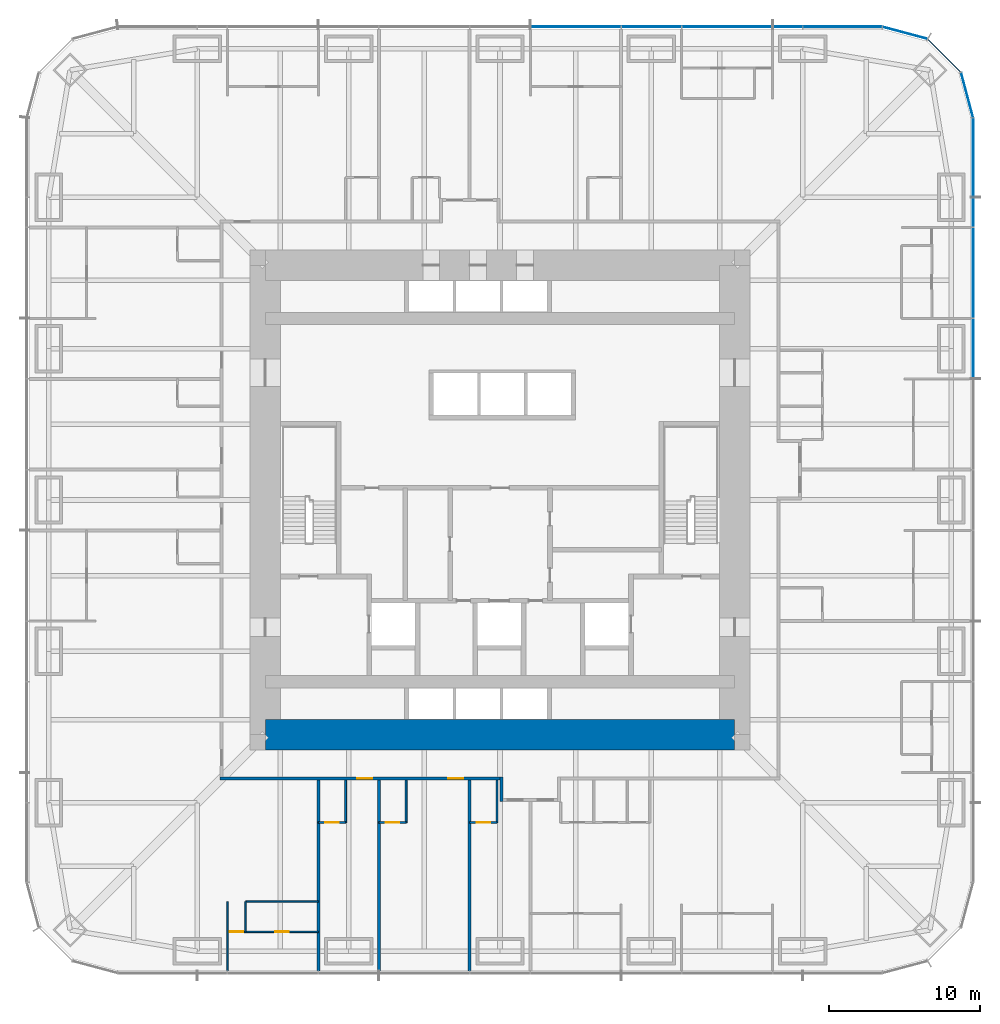
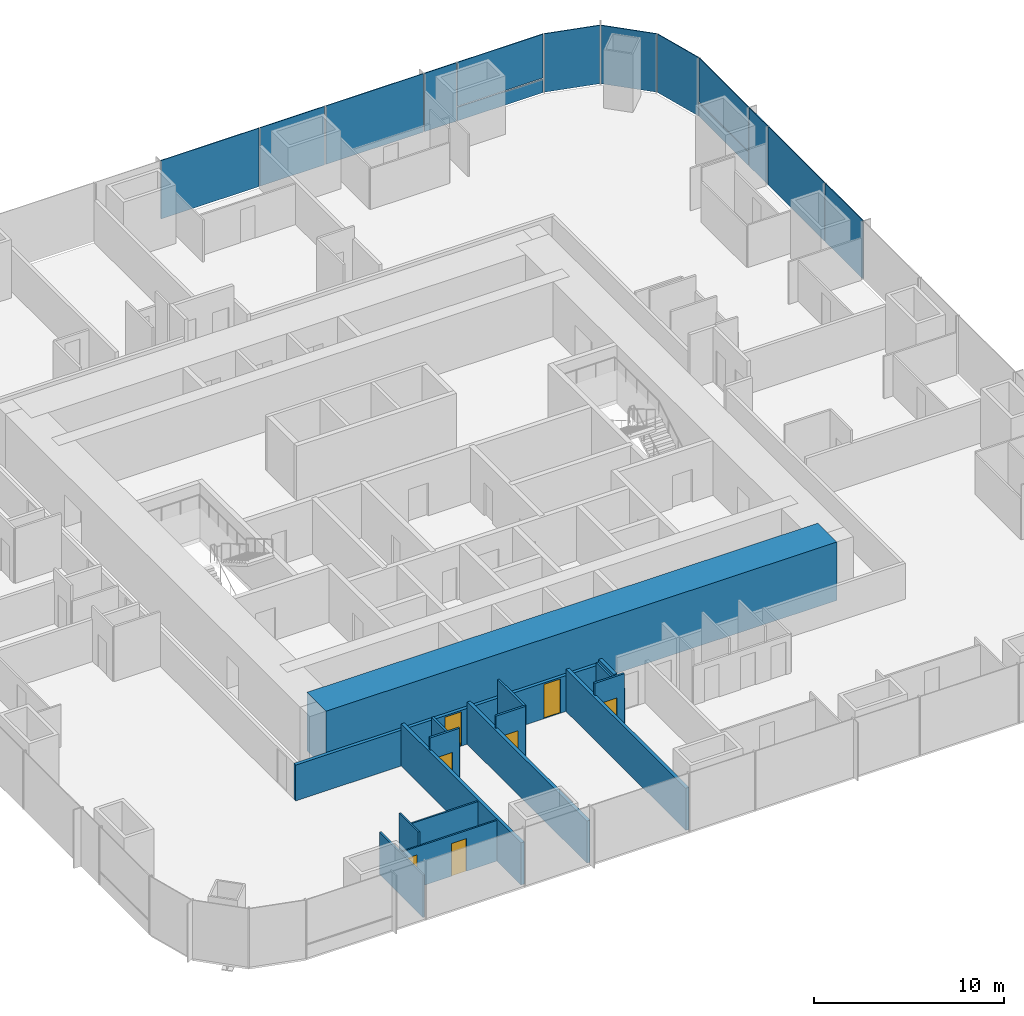
# One storey, part 11 of 16: 16 walls, 14 plates, 7 doors, 7 openings, 3 elements without a shape of their own.
"""IFC4 building model written with IfcOpenShell, lengths in metres."""

from ifc_helpers import new_model, si_unit, direction, frame, frame_2d, origin, origin_2d, place, context, subcontext, project, spatial, rectangle, extrude, material, layer, layer_set, type_object, element, fill, aggregate, save


model = new_model("IFC4")

# Units and contexts
model_context = context("Model", 3, precision=1e-05, world=origin(), true_north=direction((0.0, 1.0)))
body_context = subcontext(model_context, "Body", "Model", "MODEL_VIEW")
ifc_project = project(units=[si_unit("LENGTHUNIT", "METRE"), si_unit("AREAUNIT", "SQUARE_METRE"), si_unit("VOLUMEUNIT", "CUBIC_METRE"), si_unit("PLANEANGLEUNIT", "RADIAN"), si_unit("MASSUNIT", "GRAM", prefix="KILO")], contexts=[model_context])

# Site, building, storey
site_placement = place(None, origin())
site = spatial("IfcSite", under=ifc_project, at=site_placement, CompositionType="ELEMENT")
building_placement = place(site_placement, origin())
building = spatial("IfcBuilding", under=site, at=building_placement, Name="Khuree Lantern Residences", CompositionType="ELEMENT")
storey_placement = place(building_placement, frame((0.0, 0.0, 69.75)))
storey = spatial("IfcBuildingStorey", under=building, at=storey_placement, Name="L17", CompositionType="ELEMENT", Elevation=69.75)

# Curtain wall, plates
ifc_material_1 = material(Name="Bronze anodised aluminium", Category="aluminium")
curtain_wall_type_1 = type_object("IfcCurtainWallType", Name="CW-T2 TOWER CORNER CURTAIN WALL", PredefinedType="USERDEFINED", material=ifc_material_1)
curtain_wall_1_placement = place(storey_placement, origin())
curtain_wall_1 = element("IfcCurtainWall", 1, at=curtain_wall_1_placement, inside=storey, type_object=curtain_wall_type_1, Name="L17 NORTH-EAST CORNER CURTAIN WALL", ObjectType="Faceted corner curtain wall", PredefinedType="USERDEFINED")
ifc_material_2 = material(Name="Bronze tinted triple glazing", Category="glass")
ifc_layer_1 = layer(ifc_material_2, 0.048095703125)
ifc_layer_set_1 = layer_set([ifc_layer_1], Name="FACET PANEL P4")
plate_type_1 = type_object("IfcPlateType", Name="FACET PANEL P4", PredefinedType="CURTAIN_PANEL", material=ifc_layer_set_1)
plate_1_placement = place(storey_placement, frame((30.8486328125, 26.748046875, 0.0), z_axis=(0.0, 0.0, 1.0), x_axis=(-0.258819172081, 0.965925792265, 0.0)))
plate_1 = element("IfcPlate", 2, at=plate_1_placement, type_object=plate_type_1, Name="L17 NORTH-EAST CORNER PANEL 15.1", PredefinedType="CURTAIN_PANEL", context=body_context, shape_type="SweptSolid", body=[
    extrude(rectangle(XDim=3.02978515625, YDim=0.048095703125, at=origin_2d()), origin(), (0.0, 0.0, 1.0), 3.75),
])
plate_2_placement = place(storey_placement, frame((29.34814453125, 29.34814453125, 0.0), z_axis=(0.0, 0.0, 1.0), x_axis=(-0.707106781187, 0.707106781187, 0.0)))
plate_2 = element("IfcPlate", 3, at=plate_2_placement, type_object=plate_type_1, Name="L17 NORTH-EAST CORNER PANEL 16.1", PredefinedType="CURTAIN_PANEL", context=body_context, shape_type="SweptSolid", body=[
    extrude(rectangle(XDim=3.025634765625, YDim=0.048095703125, at=origin_2d()), origin(), (0.0, 0.0, 1.0), 3.75),
])
plate_3_placement = place(storey_placement, frame((26.748046875, 30.8486328125, 0.0), z_axis=(0.0, 0.0, 1.0), x_axis=(-0.965925792265, 0.258819172081, 0.0)))
plate_3 = element("IfcPlate", 4, at=plate_3_placement, type_object=plate_type_1, Name="L17 NORTH-EAST CORNER PANEL 17.1", PredefinedType="CURTAIN_PANEL", context=body_context, shape_type="SweptSolid", body=[
    extrude(rectangle(XDim=3.02978515625, YDim=0.048095703125, at=origin_2d()), origin(), (0.0, 0.0, 1.0), 3.75),
])
aggregate(curtain_wall_1, [plate_1, plate_2, plate_3])

# Curtain wall, plate
curtain_wall_type_2 = type_object("IfcCurtainWallType", Name="CW-T1 TOWER FACE CURTAIN WALL", PredefinedType="USERDEFINED", material=ifc_material_1)
curtain_wall_2_placement = place(storey_placement, origin())
curtain_wall_2 = element("IfcCurtainWall", 5, at=curtain_wall_2_placement, inside=storey, type_object=curtain_wall_type_2, Name="L17 EAST FACE CURTAIN WALL", ObjectType="Stick-built curtain wall", PredefinedType="USERDEFINED")
ifc_material_3 = material(Name="Bronze tinted triple glazing with a ceramic-fritted spandrel band", Category="glass")
ifc_layer_2 = layer(ifc_material_3, 0.048095703125)
ifc_layer_set_2 = layer_set([ifc_layer_2], Name="FIXED LIGHT PANEL P11")
plate_type_2 = type_object("IfcPlateType", Name="FIXED LIGHT PANEL P11", PredefinedType="CURTAIN_PANEL", material=ifc_layer_set_2)
plate_4_placement = place(storey_placement, frame((31.25, 15.0, 0.0), z_axis=(0.0, 0.0, 1.0), x_axis=(0.0, 1.0, 0.0)))
plate_4 = element("IfcPlate", 6, at=plate_4_placement, type_object=plate_type_2, Name="L17 EAST FACE PANEL 12.1", PredefinedType="CURTAIN_PANEL", context=body_context, shape_type="SweptSolid", body=[
    extrude(rectangle(XDim=5.93505859375, YDim=0.048095703125, at=origin_2d()), origin(), (0.0, 0.0, 1.0), 3.75),
])

# Curtain wall, plates
curtain_wall_3_placement = place(storey_placement, origin())
curtain_wall_3 = element("IfcCurtainWall", 7, at=curtain_wall_3_placement, inside=storey, type_object=curtain_wall_type_2, Name="L17 NORTH FACE CURTAIN WALL", ObjectType="Stick-built curtain wall", PredefinedType="USERDEFINED")
plate_5_placement = place(storey_placement, frame((15.0, 31.25, 0.0), z_axis=(0.0, 0.0, 1.0), x_axis=(-1.0, 0.0, 0.0)))
plate_5 = element("IfcPlate", 8, at=plate_5_placement, type_object=plate_type_2, Name="L17 NORTH FACE PANEL 20.1", PredefinedType="CURTAIN_PANEL", context=body_context, shape_type="SweptSolid", body=[
    extrude(rectangle(XDim=5.93505859375, YDim=0.048095703125, at=origin_2d()), origin(), (0.0, 0.0, 1.0), 3.75),
])
plate_6_placement = place(storey_placement, frame((5.0, 31.25, 0.0), z_axis=(0.0, 0.0, 1.0), x_axis=(-1.0, 0.0, 0.0)))
plate_6 = element("IfcPlate", 9, at=plate_6_placement, type_object=plate_type_2, Name="L17 NORTH FACE PANEL 22.1", PredefinedType="CURTAIN_PANEL", context=body_context, shape_type="SweptSolid", body=[
    extrude(rectangle(XDim=5.93505859375, YDim=0.048095703125, at=origin_2d()), origin(), (0.0, 0.0, 1.0), 3.75),
])

# Plate
ifc_material_4 = material(Name="Bronze tinted triple glazing, two aluminium-framed sashes in one frame", Category="aluminium")
ifc_layer_3 = layer(ifc_material_4, 0.048095703125)
ifc_layer_set_3 = layer_set([ifc_layer_3], Name="SASH PAIR PANEL P12")
plate_type_3 = type_object("IfcPlateType", Name="SASH PAIR PANEL P12", PredefinedType="CURTAIN_PANEL", material=ifc_layer_set_3)
plate_7_placement = place(storey_placement, frame((31.25, 10.0, 0.0), z_axis=(0.0, 0.0, 1.0), x_axis=(0.0, 1.0, 0.0)))
plate_7 = element("IfcPlate", 10, at=plate_7_placement, type_object=plate_type_3, Name="L17 EAST FACE PANEL 11.1", PredefinedType="CURTAIN_PANEL", context=body_context, shape_type="SweptSolid", body=[
    extrude(rectangle(XDim=3.93505859375, YDim=0.048095703125, at=origin_2d()), origin(), (0.0, 0.0, 1.0), 3.75),
])

plate_8_placement = place(storey_placement, frame((10.0, 31.25, 0.0), z_axis=(0.0, 0.0, 1.0), x_axis=(-1.0, 0.0, 0.0)))
plate_8 = element("IfcPlate", 11, at=plate_8_placement, type_object=plate_type_3, Name="L17 NORTH FACE PANEL 21.1", PredefinedType="CURTAIN_PANEL", context=body_context, shape_type="SweptSolid", body=[
    extrude(rectangle(XDim=3.93505859375, YDim=0.048095703125, at=origin_2d()), origin(), (0.0, 0.0, 1.0), 3.75),
])

ifc_material_5 = material(Name="Bronze tinted triple glazing, aluminium-framed sash", Category="aluminium")
ifc_layer_4 = layer(ifc_material_5, 0.048095703125)
ifc_layer_set_4 = layer_set([ifc_layer_4], Name="SASH PANEL P3")
plate_type_4 = type_object("IfcPlateType", Name="SASH PANEL P3", PredefinedType="CURTAIN_PANEL", material=ifc_layer_set_4)
plate_9_placement = place(storey_placement, frame((31.25, 19.0, 0.0), z_axis=(0.0, 0.0, 1.0), x_axis=(0.0, 1.0, 0.0)))
plate_9 = element("IfcPlate", 12, at=plate_9_placement, type_object=plate_type_4, Name="L17 EAST FACE PANEL 13.1", PredefinedType="CURTAIN_PANEL", context=body_context, shape_type="SweptSolid", body=[
    extrude(rectangle(XDim=1.93505859375, YDim=0.048095703125, at=origin_2d()), origin(), (0.0, 0.0, 1.0), 3.75),
])

plate_10_placement = place(storey_placement, frame((19.0, 31.25, 0.0), z_axis=(0.0, 0.0, 1.0), x_axis=(-1.0, 0.0, 0.0)))
plate_10 = element("IfcPlate", 13, at=plate_10_placement, type_object=plate_type_4, Name="L17 NORTH FACE PANEL 19.1", PredefinedType="CURTAIN_PANEL", context=body_context, shape_type="SweptSolid", body=[
    extrude(rectangle(XDim=1.93505859375, YDim=0.048095703125, at=origin_2d()), origin(), (0.0, 0.0, 1.0), 3.75),
])

ifc_material_6 = material(Name="Bronze anodised aluminium insulated spandrel", Category="aluminium")
ifc_layer_5 = layer(ifc_material_6, 0.06005859375)
ifc_layer_set_5 = layer_set([ifc_layer_5], Name="SPANDREL PANEL P2")
plate_type_5 = type_object("IfcPlateType", Name="SPANDREL PANEL P2", PredefinedType="CURTAIN_PANEL", material=ifc_layer_set_5)
plate_11_placement = place(storey_placement, frame((31.25, 22.622802734375, 0.0), z_axis=(0.0, 0.0, 1.0), x_axis=(0.0, 1.0, 0.0)))
plate_11 = element("IfcPlate", 14, at=plate_11_placement, type_object=plate_type_5, Name="L17 EAST FACE PANEL 14.1", PredefinedType="CURTAIN_PANEL", context=body_context, shape_type="SweptSolid", body=[
    extrude(rectangle(XDim=5.1806640625, YDim=0.06005859375, at=origin_2d()), origin(), (0.0, 0.0, 1.0), 0.867431640625),
])

plate_12_placement = place(storey_placement, frame((22.622802734375, 31.25, 0.0), z_axis=(0.0, 0.0, 1.0), x_axis=(-1.0, 0.0, 0.0)))
plate_12 = element("IfcPlate", 15, at=plate_12_placement, type_object=plate_type_5, Name="L17 NORTH FACE PANEL 18.1", PredefinedType="CURTAIN_PANEL", context=body_context, shape_type="SweptSolid", body=[
    extrude(rectangle(XDim=5.1806640625, YDim=0.06005859375, at=origin_2d()), origin(), (0.0, 0.0, 1.0), 0.867431640625),
])

ifc_layer_6 = layer(ifc_material_2, 0.048095703125)
ifc_layer_set_6 = layer_set([ifc_layer_6], Name="VISION PANEL P1")
plate_type_6 = type_object("IfcPlateType", Name="VISION PANEL P1", PredefinedType="CURTAIN_PANEL", material=ifc_layer_set_6)
plate_13_placement = place(storey_placement, frame((31.25, 22.623291015625, 0.9326171875), z_axis=(0.0, 0.0, 1.0), x_axis=(0.0, 1.0, 0.0)))
plate_13 = element("IfcPlate", 16, at=plate_13_placement, type_object=plate_type_6, Name="L17 EAST FACE PANEL 14.2", PredefinedType="CURTAIN_PANEL", context=body_context, shape_type="SweptSolid", body=[
    extrude(rectangle(XDim=5.181640625, YDim=0.048095703125, at=origin_2d()), origin(), (0.0, 0.0, 1.0), 2.8173828125),
])

aggregate(curtain_wall_2, [plate_7, plate_4, plate_9, plate_11, plate_13])

plate_14_placement = place(storey_placement, frame((22.623291015625, 31.25, 0.9326171875), z_axis=(0.0, 0.0, 1.0), x_axis=(-1.0, 0.0, 0.0)))
plate_14 = element("IfcPlate", 17, at=plate_14_placement, type_object=plate_type_6, Name="L17 NORTH FACE PANEL 18.2", PredefinedType="CURTAIN_PANEL", context=body_context, shape_type="SweptSolid", body=[
    extrude(rectangle(XDim=5.181640625, YDim=0.048095703125, at=origin_2d()), origin(), (0.0, 0.0, 1.0), 2.8173828125),
])

aggregate(curtain_wall_3, [plate_12, plate_14, plate_10, plate_5, plate_8, plate_6])

# Wall, opening, door
ifc_material_7 = material(Name="Moisture-resistant gypsum board on steel studs", Category="steel")
ifc_layer_7 = layer(ifc_material_7, 0.125)
ifc_layer_set_7 = layer_set([ifc_layer_7], Name="BATHROOM WALL BTW125")
wall_type_1 = type_object("IfcWallType", Name="BATHROOM WALL BTW125", PredefinedType="PARTITIONING", material=ifc_layer_set_7)
wall_1_placement = place(storey_placement, frame((-12.0, -21.300048828125, 0.0), z_axis=(0.0, 0.0, 1.0), x_axis=(1.0, 0.0, 0.0)))
wall_1 = element("IfcWall", 18, at=wall_1_placement, inside=storey, type_object=wall_type_1, Name="L17 BATHROOM WALL 10", PredefinedType="PARTITIONING", context=body_context, shape_type="SweptSolid", body=[
    extrude(rectangle(XDim=1.800048828125, YDim=0.125, at=frame_2d((0.89990234375, 0.0))), origin(), (0.0, 0.0, 1.0), 3.5),
])
opening_1_placement = place(wall_1_placement, frame((0.449951171875, 0.0, 0.0)))
opening_1 = element("IfcOpeningElement", 19, at=opening_1_placement, cuts=wall_1, Name="Opening 17-052", PredefinedType="OPENING", context=body_context, shape_type="SweptSolid", body=[
    extrude(rectangle(XDim=0.89990234375, YDim=2.10009765625, at=frame_2d((0.449951171875, 1.050048828125))), frame((0.0, 0.072509765625, 0.0), z_axis=(0.0, -1.0, 0.0), x_axis=(1.0, 0.0, 0.0)), (0.0, 0.0, 1.0), 0.14501953125),
])
ifc_material_8 = material(Name="Timber door leaf in hardwood frame", Category="wood")
door_type_1 = type_object("IfcDoorType", Name="BATHROOM DOOR 900X2100", OperationType="SINGLE_SWING_LEFT", PredefinedType="DOOR", material=ifc_material_8)
door_1_placement = place(opening_1_placement, origin())
door_1 = element("IfcDoor", 20, at=door_1_placement, inside=storey, type_object=door_type_1, Name="Bathroom door 17-052", OperationType="SINGLE_SWING_LEFT", OverallHeight=2.10009765625, OverallWidth=0.89990234375, PredefinedType="DOOR", context=body_context, shape_type="SweptSolid", body=[
    extrude(rectangle(XDim=0.89990234375, YDim=2.10009765625, at=frame_2d((0.449951171875, 1.050048828125))), frame((0.0, 0.02490234375, 0.0), z_axis=(0.0, -1.0, 0.0), x_axis=(1.0, 0.0, 0.0)), (0.0, 0.0, 1.0), 0.050048828125),
])
fill(opening_1, door_1)

# Wall
wall_2_placement = place(storey_placement, frame((-10.199951171875, -18.5, 0.0), z_axis=(0.0, 0.0, 1.0), x_axis=(0.0, -1.0, 0.0)))
element("IfcWall", 21, at=wall_2_placement, inside=storey, type_object=wall_type_1, Name="L17 BATHROOM WALL 10", PredefinedType="PARTITIONING", context=body_context, shape_type="SweptSolid", body=[
    extrude(rectangle(XDim=2.800048828125, YDim=0.125, at=frame_2d((1.39990234375, 0.0))), origin(), (0.0, 0.0, 1.0), 2.491943359375),
])

# Wall, opening, door
wall_3_placement = place(storey_placement, frame((-8.0, -21.300048828125, 0.0), z_axis=(0.0, 0.0, 1.0), x_axis=(1.0, 0.0, 0.0)))
wall_3 = element("IfcWall", 22, at=wall_3_placement, inside=storey, type_object=wall_type_1, Name="L17 BATHROOM WALL 11", PredefinedType="PARTITIONING", context=body_context, shape_type="SweptSolid", body=[
    extrude(rectangle(XDim=1.800048828125, YDim=0.125, at=frame_2d((0.89990234375, 0.0))), origin(), (0.0, 0.0, 1.0), 3.5),
])
opening_2_placement = place(wall_3_placement, frame((0.449951171875, 0.0, 0.0)))
opening_2 = element("IfcOpeningElement", 23, at=opening_2_placement, cuts=wall_3, Name="Opening 17-054", PredefinedType="OPENING", context=body_context, shape_type="SweptSolid", body=[
    extrude(rectangle(XDim=0.89990234375, YDim=2.10009765625, at=frame_2d((0.449951171875, 1.050048828125))), frame((0.0, 0.072509765625, 0.0), z_axis=(0.0, -1.0, 0.0), x_axis=(1.0, 0.0, 0.0)), (0.0, 0.0, 1.0), 0.14501953125),
])
door_2_placement = place(opening_2_placement, origin())
door_2 = element("IfcDoor", 24, at=door_2_placement, inside=storey, type_object=door_type_1, Name="Bathroom door 17-054", OperationType="SINGLE_SWING_LEFT", OverallHeight=2.10009765625, OverallWidth=0.89990234375, PredefinedType="DOOR", context=body_context, shape_type="SweptSolid", body=[
    extrude(rectangle(XDim=0.89990234375, YDim=2.10009765625, at=frame_2d((0.449951171875, 1.050048828125))), frame((0.0, 0.02490234375, 0.0), z_axis=(0.0, -1.0, 0.0), x_axis=(1.0, 0.0, 0.0)), (0.0, 0.0, 1.0), 0.050048828125),
])
fill(opening_2, door_2)

# Wall
wall_4_placement = place(storey_placement, frame((-6.199951171875, -18.5, 0.0), z_axis=(0.0, 0.0, 1.0), x_axis=(0.0, -1.0, 0.0)))
element("IfcWall", 25, at=wall_4_placement, inside=storey, type_object=wall_type_1, Name="L17 BATHROOM WALL 11", PredefinedType="PARTITIONING", context=body_context, shape_type="SweptSolid", body=[
    extrude(rectangle(XDim=2.800048828125, YDim=0.125, at=frame_2d((1.39990234375, 0.0))), origin(), (0.0, 0.0, 1.0), 3.5),
])

# Wall, opening, door
wall_5_placement = place(storey_placement, frame((-2.0, -21.300048828125, 0.0), z_axis=(0.0, 0.0, 1.0), x_axis=(1.0, 0.0, 0.0)))
wall_5 = element("IfcWall", 26, at=wall_5_placement, inside=storey, type_object=wall_type_1, Name="L17 BATHROOM WALL 12", PredefinedType="PARTITIONING", context=body_context, shape_type="SweptSolid", body=[
    extrude(rectangle(XDim=1.800048828125, YDim=0.125, at=frame_2d((0.89990234375, 0.0))), origin(), (0.0, 0.0, 1.0), 3.5),
])
opening_3_placement = place(wall_5_placement, frame((0.449951171875, 0.0, 0.0)))
opening_3 = element("IfcOpeningElement", 27, at=opening_3_placement, cuts=wall_5, Name="Opening 17-056", PredefinedType="OPENING", context=body_context, shape_type="SweptSolid", body=[
    extrude(rectangle(XDim=0.89990234375, YDim=2.10009765625, at=frame_2d((0.449951171875, 1.050048828125))), frame((0.0, 0.072509765625, 0.0), z_axis=(0.0, -1.0, 0.0), x_axis=(1.0, 0.0, 0.0)), (0.0, 0.0, 1.0), 0.14501953125),
])
door_3_placement = place(opening_3_placement, origin())
door_3 = element("IfcDoor", 28, at=door_3_placement, inside=storey, type_object=door_type_1, Name="Bathroom door 17-056", OperationType="SINGLE_SWING_LEFT", OverallHeight=2.10009765625, OverallWidth=0.89990234375, PredefinedType="DOOR", context=body_context, shape_type="SweptSolid", body=[
    extrude(rectangle(XDim=0.89990234375, YDim=2.10009765625, at=frame_2d((0.449951171875, 1.050048828125))), frame((0.0, 0.02490234375, 0.0), z_axis=(0.0, -1.0, 0.0), x_axis=(1.0, 0.0, 0.0)), (0.0, 0.0, 1.0), 0.050048828125),
])
fill(opening_3, door_3)

# Walls
wall_6_placement = place(storey_placement, frame((-0.199951171875, -18.5, 0.0), z_axis=(0.0, 0.0, 1.0), x_axis=(0.0, -1.0, 0.0)))
element("IfcWall", 29, at=wall_6_placement, inside=storey, type_object=wall_type_1, Name="L17 BATHROOM WALL 12", PredefinedType="PARTITIONING", context=body_context, shape_type="SweptSolid", body=[
    extrude(rectangle(XDim=2.800048828125, YDim=0.125, at=frame_2d((1.39990234375, 0.0))), origin(), (0.0, 0.0, 1.0), 2.491943359375),
])
ifc_material_9 = material(Name="Gypsum board on steel studs", Category="steel")
ifc_layer_8 = layer(ifc_material_9, 0.199951171875)
ifc_layer_set_8 = layer_set([ifc_layer_8], Name="CORRIDOR WALL CRW200 EI 60")
wall_type_2 = type_object("IfcWallType", Name="CORRIDOR WALL CRW200 EI 60", PredefinedType="PARTITIONING", material=ifc_layer_set_8)
wall_7_placement = place(storey_placement, frame((0.10009765625, -18.300048828125, 0.0), z_axis=(0.0, 0.0, 1.0), x_axis=(0.0, -1.0, 0.0)))
element("IfcWall", 30, at=wall_7_placement, inside=storey, type_object=wall_type_2, Name="L17 CORRIDOR ALCOVE WALL SOUTH", PredefinedType="PARTITIONING", context=body_context, shape_type="SweptSolid", body=[
    extrude(rectangle(XDim=1.599853515625, YDim=0.199951171875, at=frame_2d((0.7998046875, 0.0))), origin(), (0.0, 0.0, 1.0), 2.491943359375),
])

# Wall, openings, doors
wall_8_placement = place(storey_placement, frame((0.0, -18.39990234375, 0.0), z_axis=(0.0, 0.0, 1.0), x_axis=(-1.0, 0.0, 0.0)))
wall_8 = element("IfcWall", 31, at=wall_8_placement, inside=storey, type_object=wall_type_2, Name="L17 CORRIDOR WALL SOUTH 2", PredefinedType="PARTITIONING", context=body_context, shape_type="SweptSolid", body=[
    extrude(rectangle(XDim=18.5, YDim=0.199951171875, at=frame_2d((9.25, 0.0))), origin(), (0.0, 0.0, 1.0), 2.300048828125),
])
opening_4_placement = place(wall_8_placement, frame((8.429931640625, 0.0, 0.0)))
opening_4 = element("IfcOpeningElement", 32, at=opening_4_placement, cuts=wall_8, Name="Opening 17-053", PredefinedType="OPENING", context=body_context, shape_type="SweptSolid", body=[
    extrude(rectangle(XDim=1.0, YDim=2.199951171875, at=frame_2d((0.5, 1.10009765625))), frame((0.0, 0.10986328125, 0.0), z_axis=(0.0, -1.0, 0.0), x_axis=(1.0, 0.0, 0.0)), (0.0, 0.0, 1.0), 0.219970703125),
])
opening_5_placement = place(wall_8_placement, frame((2.429931640625, 0.0, 0.0)))
opening_5 = element("IfcOpeningElement", 33, at=opening_5_placement, cuts=wall_8, Name="Opening 17-055", PredefinedType="OPENING", context=body_context, shape_type="SweptSolid", body=[
    extrude(rectangle(XDim=1.0, YDim=2.199951171875, at=frame_2d((0.5, 1.10009765625))), frame((0.0, 0.10986328125, 0.0), z_axis=(0.0, -1.0, 0.0), x_axis=(1.0, 0.0, 0.0)), (0.0, 0.0, 1.0), 0.219970703125),
])
door_type_2 = type_object("IfcDoorType", Name="APARTMENT ENTRANCE DOOR 1000X2200 EI 30S", OperationType="SINGLE_SWING_LEFT", PredefinedType="DOOR", material=ifc_material_8)
door_4_placement = place(opening_4_placement, origin())
door_4 = element("IfcDoor", 34, at=door_4_placement, inside=storey, type_object=door_type_2, Name="Apartment 10 entrance door 17-053", OperationType="SINGLE_SWING_LEFT", OverallHeight=2.199951171875, OverallWidth=1.0, PredefinedType="DOOR", context=body_context, shape_type="SweptSolid", body=[
    extrude(rectangle(XDim=1.0, YDim=2.199951171875, at=frame_2d((0.5, 1.10009765625))), frame((0.0, 0.02490234375, 0.0), z_axis=(0.0, -1.0, 0.0), x_axis=(1.0, 0.0, 0.0)), (0.0, 0.0, 1.0), 0.050048828125),
])
fill(opening_4, door_4)
door_5_placement = place(opening_5_placement, origin())
door_5 = element("IfcDoor", 35, at=door_5_placement, inside=storey, type_object=door_type_2, Name="Apartment 11 entrance door 17-055", OperationType="SINGLE_SWING_LEFT", OverallHeight=2.199951171875, OverallWidth=1.0, PredefinedType="DOOR", context=body_context, shape_type="SweptSolid", body=[
    extrude(rectangle(XDim=1.0, YDim=2.199951171875, at=frame_2d((0.5, 1.10009765625))), frame((0.0, 0.02490234375, 0.0), z_axis=(0.0, -1.0, 0.0), x_axis=(1.0, 0.0, 0.0)), (0.0, 0.0, 1.0), 0.050048828125),
])
fill(opening_5, door_5)

# Walls
ifc_material_10 = material(Name="Concrete C70/85", Category="concrete")
ifc_layer_9 = layer(ifc_material_10, 2.0)
ifc_layer_set_9 = layer_set([ifc_layer_9], Name="CW2000-C70 CORE WALL C70 2000")
wall_type_3 = type_object("IfcWallType", Name="CW2000-C70 CORE WALL C70 2000", PredefinedType="SHEAR", material=ifc_layer_set_9)
wall_9_placement = place(storey_placement, frame((-15.5, -15.5, -0.25), z_axis=(0.0, 0.0, 1.0), x_axis=(1.0, 0.0, 0.0)))
element("IfcWall", 36, at=wall_9_placement, inside=storey, type_object=wall_type_3, Name="Core wall S", PredefinedType="SHEAR", context=body_context, shape_type="SweptSolid", body=[
    extrude(rectangle(XDim=31.0, YDim=2.0, at=frame_2d((15.5, 0.0))), origin(), (0.0, 0.0, 1.0), 3.75),
])
ifc_layer_10 = layer(ifc_material_9, 0.199951171875)
ifc_layer_set_10 = layer_set([ifc_layer_10], Name="DEMISING WALL DMW200 EI 90")
wall_type_4 = type_object("IfcWallType", Name="DEMISING WALL DMW200 EI 90", PredefinedType="PARTITIONING", material=ifc_layer_set_10)
for number, where, z_axis, x_axis, name in (
    (37, (-12.0, -18.5, 0.0), (0.0, 0.0, 1.0), (0.0, -1.0, 0.0), "L17 DEMISING WALL 10"),
    (38, (-8.0, -18.5, 0.0), (0.0, 0.0, 1.0), (0.0, -1.0, 0.0), "L17 DEMISING WALL 11"),
    (39, (-2.0, -18.5, 0.0), (0.0, 0.0, 1.0), (0.0, -1.0, 0.0), "L17 DEMISING WALL 12"),
):
    element("IfcWall", number, at=place(storey_placement, frame(where, z_axis=z_axis, x_axis=x_axis)), inside=storey, type_object=wall_type_4, Name=name, PredefinedType="PARTITIONING", context=body_context, shape_type="SweptSolid", body=[
        extrude(rectangle(XDim=12.60009765625, YDim=0.199951171875, at=frame_2d((6.300048828125, 0.0))), origin(), (0.0, 0.0, 1.0), 2.7099609375),
    ])
ifc_layer_11 = layer(ifc_material_9, 0.10009765625)
ifc_layer_set_11 = layer_set([ifc_layer_11], Name="PARTITION PT100")
wall_type_5 = type_object("IfcWallType", Name="PARTITION PT100", PredefinedType="PARTITIONING", material=ifc_layer_set_11)
wall_10_placement = place(storey_placement, frame((-18.0, -26.5166015625, 0.0), z_axis=(0.0, 0.0, 1.0), x_axis=(0.0, -1.0, 0.0)))
element("IfcWall", 40, at=wall_10_placement, inside=storey, type_object=wall_type_5, Name="L17 PARTITION 09", PredefinedType="PARTITIONING", context=body_context, shape_type="SweptSolid", body=[
    extrude(rectangle(XDim=4.58349609375, YDim=0.10009765625, at=frame_2d((2.291748046875, 0.0))), origin(), (0.0, 0.0, 1.0), 2.7099609375),
])

# Wall, openings, doors
wall_11_placement = place(storey_placement, frame((-18.0, -28.5166015625, 0.0), z_axis=(0.0, 0.0, 1.0), x_axis=(1.0, 0.0, 0.0)))
wall_11 = element("IfcWall", 41, at=wall_11_placement, inside=storey, type_object=wall_type_5, Name="L17 PARTITION 09", PredefinedType="PARTITIONING", context=body_context, shape_type="SweptSolid", body=[
    extrude(rectangle(XDim=6.0, YDim=0.10009765625, at=frame_2d((3.0, 0.0))), origin(), (0.0, 0.0, 1.0), 2.610107421875),
])
opening_6_placement = place(wall_11_placement, frame((0.14990234375, 0.0, 0.0)))
opening_6 = element("IfcOpeningElement", 42, at=opening_6_placement, cuts=wall_11, Name="Opening 17-048", PredefinedType="OPENING", context=body_context, shape_type="SweptSolid", body=[
    extrude(rectangle(XDim=0.89990234375, YDim=2.10009765625, at=frame_2d((0.449951171875, 1.050048828125))), frame((0.0, 0.06005859375, 0.0), z_axis=(0.0, -1.0, 0.0), x_axis=(1.0, 0.0, 0.0)), (0.0, 0.0, 1.0), 0.1201171875),
])
opening_7_placement = place(wall_11_placement, frame((3.14990234375, 0.0, 0.0)))
opening_7 = element("IfcOpeningElement", 43, at=opening_7_placement, cuts=wall_11, Name="Opening 17-049", PredefinedType="OPENING", context=body_context, shape_type="SweptSolid", body=[
    extrude(rectangle(XDim=0.89990234375, YDim=2.10009765625, at=frame_2d((0.449951171875, 1.050048828125))), frame((0.0, 0.06005859375, 0.0), z_axis=(0.0, -1.0, 0.0), x_axis=(1.0, 0.0, 0.0)), (0.0, 0.0, 1.0), 0.1201171875),
])
door_type_3 = type_object("IfcDoorType", Name="BEDROOM DOOR 900X2100", OperationType="SINGLE_SWING_LEFT", PredefinedType="DOOR", material=ifc_material_8)
door_6_placement = place(opening_6_placement, origin())
door_6 = element("IfcDoor", 44, at=door_6_placement, inside=storey, type_object=door_type_3, Name="Bedroom door 17-048", OperationType="SINGLE_SWING_LEFT", OverallHeight=2.10009765625, OverallWidth=0.89990234375, PredefinedType="DOOR", context=body_context, shape_type="SweptSolid", body=[
    extrude(rectangle(XDim=0.89990234375, YDim=2.10009765625, at=frame_2d((0.449951171875, 1.050048828125))), frame((0.0, 0.02490234375, 0.0), z_axis=(0.0, -1.0, 0.0), x_axis=(1.0, 0.0, 0.0)), (0.0, 0.0, 1.0), 0.050048828125),
])
fill(opening_6, door_6)
door_type_4 = type_object("IfcDoorType", Name="DOOR 900X2100", OperationType="SINGLE_SWING_LEFT", PredefinedType="DOOR", material=ifc_material_8)
door_7_placement = place(opening_7_placement, origin())
door_7 = element("IfcDoor", 45, at=door_7_placement, inside=storey, type_object=door_type_4, Name="Wardrobe door 17-049", OperationType="SINGLE_SWING_LEFT", OverallHeight=2.10009765625, OverallWidth=0.89990234375, PredefinedType="DOOR", context=body_context, shape_type="SweptSolid", body=[
    extrude(rectangle(XDim=0.89990234375, YDim=2.10009765625, at=frame_2d((0.449951171875, 1.050048828125))), frame((0.0, 0.02490234375, 0.0), z_axis=(0.0, -1.0, 0.0), x_axis=(1.0, 0.0, 0.0)), (0.0, 0.0, 1.0), 0.050048828125),
])
fill(opening_7, door_7)

# Walls
wall_12_placement = place(storey_placement, frame((-16.800048828125, -26.5166015625, 0.0), z_axis=(0.0, 0.0, 1.0), x_axis=(0.0, -1.0, 0.0)))
element("IfcWall", 46, at=wall_12_placement, inside=storey, type_object=wall_type_5, Name="L17 PARTITION 09", PredefinedType="PARTITIONING", context=body_context, shape_type="SweptSolid", body=[
    extrude(rectangle(XDim=2.0, YDim=0.10009765625, at=frame_2d((1.0, 0.0))), origin(), (0.0, 0.0, 1.0), 3.5),
])
wall_13_placement = place(storey_placement, frame((-16.800048828125, -26.5166015625, 0.0), z_axis=(0.0, 0.0, 1.0), x_axis=(1.0, 0.0, 0.0)))
element("IfcWall", 47, at=wall_13_placement, inside=storey, type_object=wall_type_5, Name="L17 PARTITION 09", PredefinedType="PARTITIONING", context=body_context, shape_type="SweptSolid", body=[
    extrude(rectangle(XDim=4.800048828125, YDim=0.10009765625, at=frame_2d((2.39990234375, 0.0))), origin(), (0.0, 0.0, 1.0), 2.610107421875),
])

save(model, "model.ifc")
